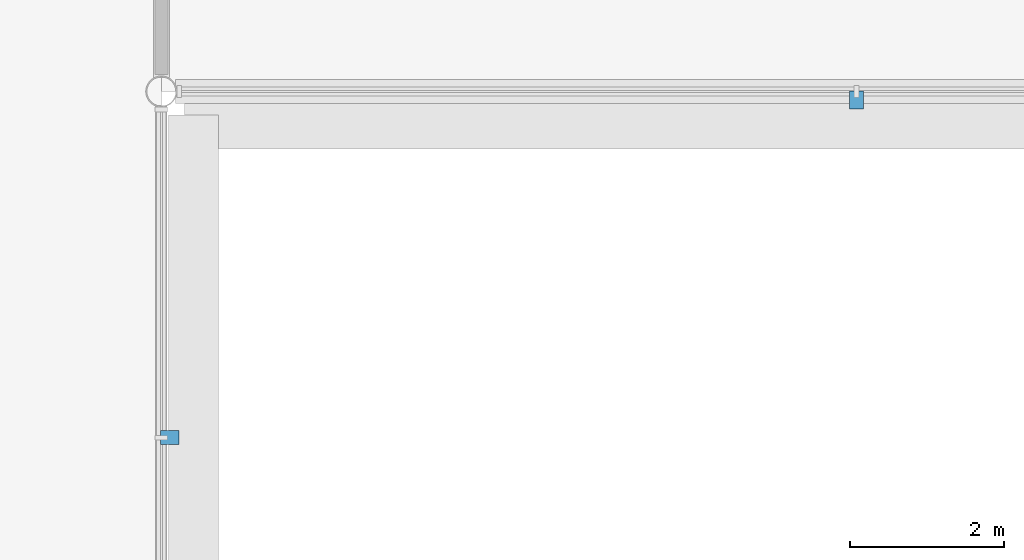
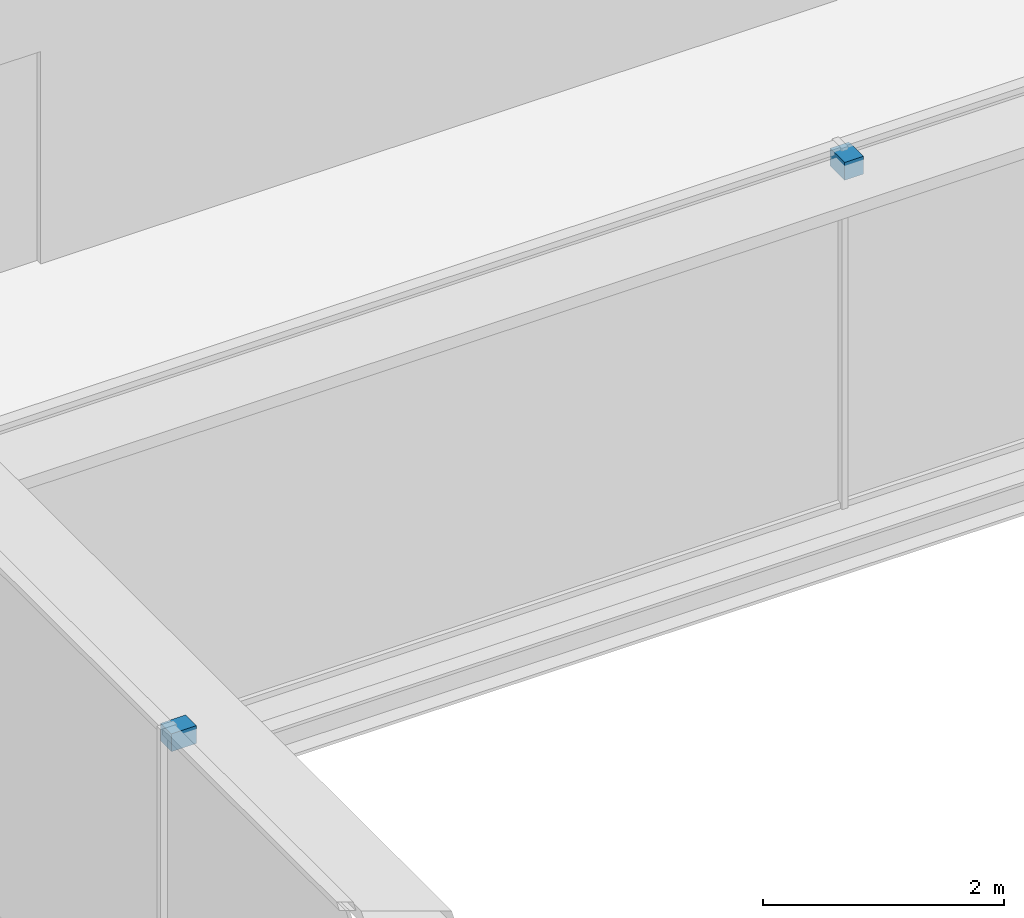
# One storey, part 69 of 96: 2 discrete accessories.
"""IFC4 building model written with IfcOpenShell, lengths in metres."""

from ifc_helpers import new_model, si_unit, direction, frame, origin, origin_2d, place, context, subcontext, project, spatial, rectangle, extrude, material, type_object, element, save


model = new_model("IFC4")

# Units and contexts
model_context = context("Model", 3, precision=1e-05, world=origin(), true_north=direction((0.0, 1.0)))
body_context = subcontext(model_context, "Body", "Model", "MODEL_VIEW")
ifc_project = project(units=[si_unit("LENGTHUNIT", "METRE"), si_unit("AREAUNIT", "SQUARE_METRE"), si_unit("VOLUMEUNIT", "CUBIC_METRE"), si_unit("PLANEANGLEUNIT", "RADIAN"), si_unit("MASSUNIT", "GRAM", prefix="KILO")], contexts=[model_context])

# Site, building, storey
site_placement = place(None, origin())
site = spatial("IfcSite", under=ifc_project, at=site_placement, CompositionType="ELEMENT")
building_placement = place(site_placement, origin())
building = spatial("IfcBuilding", under=site, at=building_placement, Name="Kisiwana Market Hall", CompositionType="ELEMENT")
storey_placement = place(building_placement, frame((0.0, 0.0, 25.5)))
storey = spatial("IfcBuildingStorey", under=building, at=storey_placement, Name="L05", CompositionType="ELEMENT", Elevation=25.5)

# Discrete accessories
ifc_material = material(Name="Steel S355", Category="steel")
discrete_accessory_type = type_object("IfcDiscreteAccessoryType", Name="ACC-BRACKET-STL", PredefinedType="BRACKET", material=ifc_material)
for number, where, z_axis, x_axis, name in (
    (1, (54.0390625, 92.889892578125, 3.44482421875), (0.0, 0.0, 1.0), (1.0, 0.0, 0.0), "Sunshade steel bracket BRK-085"),
    (2, (45.110107421875, 88.5, 3.44482421875), (0.0, 0.0, 1.0), (0.0, 1.0, 0.0), "Sunshade steel bracket BRK-094"),
):
    element("IfcDiscreteAccessory", number, at=place(storey_placement, frame(where, z_axis=z_axis, x_axis=x_axis)), inside=storey, type_object=discrete_accessory_type, Name=name, PredefinedType="BRACKET", context=body_context, shape_type="SweptSolid", body=[
        extrude(rectangle(XDim=0.179931640625, YDim=0.239990234375, at=origin_2d()), origin(), (0.0, 0.0, 1.0), 0.179931640625),
    ])

save(model, "model.ifc")
